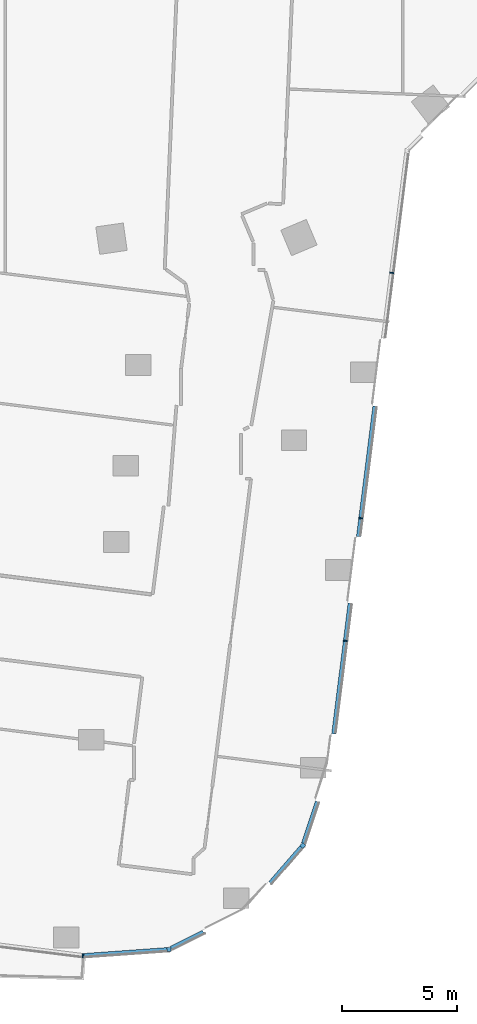
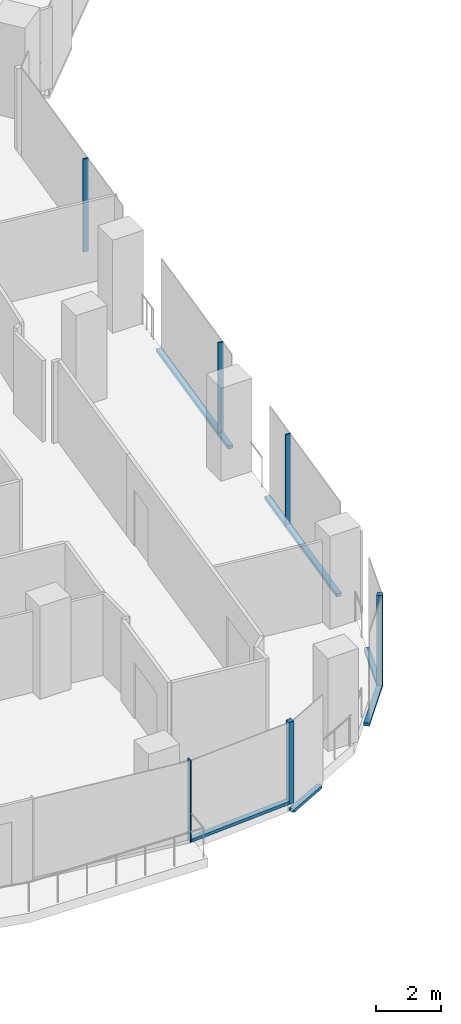
# One storey, part 4 of 29: 12 members, 6 elements without a shape of their own.
"""IFC4 building model written with IfcOpenShell, lengths in metres."""

from ifc_helpers import new_model, si_unit, direction, frame, origin, origin_2d, place, context, subcontext, project, spatial, rectangle, extrude, material, material_profile, profile_set, type_object, element, aggregate, save


model = new_model("IFC4")

# Units and contexts
model_context = context("Model", 3, precision=1e-05, world=origin(), true_north=direction((0.0, 1.0)))
body_context = subcontext(model_context, "Body", "Model", "MODEL_VIEW")
ifc_project = project(units=[si_unit("LENGTHUNIT", "METRE"), si_unit("AREAUNIT", "SQUARE_METRE"), si_unit("VOLUMEUNIT", "CUBIC_METRE"), si_unit("PLANEANGLEUNIT", "RADIAN"), si_unit("MASSUNIT", "GRAM", prefix="KILO")], contexts=[model_context])

# Site, building, storey
site_placement = place(None, origin())
site = spatial("IfcSite", under=ifc_project, at=site_placement, CompositionType="ELEMENT")
building_placement = place(site_placement, origin())
building = spatial("IfcBuilding", under=site, at=building_placement, Name="Orlundy Tower", CompositionType="ELEMENT")
storey_placement = place(building_placement, frame((0.0, 0.0, 188.60009765625)))
storey = spatial("IfcBuildingStorey", under=building, at=storey_placement, Name="L49", CompositionType="ELEMENT", Elevation=188.60009765625)

# Curtain wall, member
ifc_material_1 = material(Name="Aluminium bronze anodised", Category="aluminium")
curtain_wall_type = type_object("IfcCurtainWallType", Name="CW1 wall", PredefinedType="NOTDEFINED", material=ifc_material_1)
curtain_wall_1_placement = place(storey_placement, origin())
curtain_wall_1 = element("IfcCurtainWall", 1, at=curtain_wall_1_placement, inside=storey, type_object=curtain_wall_type, Name="CW1 run 020", PredefinedType="NOTDEFINED")
ifc_material_2 = material(Name="Aluminium bronze anodised", Category="aluminium")
ifc_material_profile_1 = material_profile(ifc_material_2, rectangle(XDim=0.179931640625, YDim=0.179931640625, at=origin_2d()), Name="CW1 corner post 180x180")
ifc_profile_set_1 = profile_set([ifc_material_profile_1], Name="Aluminium bronze anodised")
member_type_1 = type_object("IfcMemberType", Name="CW1 corner post 180x180", PredefinedType="MULLION", material=ifc_profile_set_1)
member_1_placement = place(storey_placement, frame((12.5146484375, -55.66650390625, -0.420166015625), z_axis=(0.0, 0.0, 1.0), x_axis=(0.755626772005, -0.655002428568, 0.0)))
member_1 = element("IfcMember", 2, at=member_1_placement, type_object=member_type_1, Name="CW1 mullion 50", PredefinedType="MULLION", context=body_context, shape_type="SweptSolid", body=[
    extrude(rectangle(XDim=0.179931640625, YDim=0.179931640625, at=origin_2d()), origin(), (0.0, 0.0, 1.0), 3.5),
])

curtain_wall_2_placement = place(storey_placement, origin())
curtain_wall_2 = element("IfcCurtainWall", 3, at=curtain_wall_2_placement, inside=storey, type_object=curtain_wall_type, Name="CW1 run 022", PredefinedType="NOTDEFINED")
member_2_placement = place(storey_placement, frame((6.71630859375, -60.16943359375, 0.0), z_axis=(0.0, 0.0, 1.0), x_axis=(0.071227876188, -0.997460069203, 0.0)))
member_2 = element("IfcMember", 4, at=member_2_placement, type_object=member_type_1, Name="CW1 mullion 52", PredefinedType="MULLION", context=body_context, shape_type="SweptSolid", body=[
    extrude(rectangle(XDim=0.179931640625, YDim=0.179931640625, at=origin_2d()), origin(), (0.0, 0.0, 1.0), 3.079833984375),
])

# Curtain wall, members
curtain_wall_3_placement = place(storey_placement, origin())
curtain_wall_3 = element("IfcCurtainWall", 5, at=curtain_wall_3_placement, inside=storey, type_object=curtain_wall_type, Name="CW1 run 018", PredefinedType="NOTDEFINED")
ifc_material_3 = material(Name="Aluminium bronze anodised", Category="aluminium")
ifc_material_profile_2 = material_profile(ifc_material_3, rectangle(XDim=0.179931640625, YDim=0.050048828125, at=origin_2d()), Name="CW1 mullion 50x180")
ifc_profile_set_2 = profile_set([ifc_material_profile_2], Name="Aluminium bronze anodised")
member_type_2 = type_object("IfcMemberType", Name="CW1 mullion 50x180", PredefinedType="MULLION", material=ifc_profile_set_2)
member_3_placement = place(storey_placement, frame((16.3681640625, -30.85595703125, -0.420166015625), z_axis=(0.0, 0.0, 1.0), x_axis=(0.992189164773, -0.124742379758, 0.0)))
member_3 = element("IfcMember", 6, at=member_3_placement, type_object=member_type_2, Name="CW1 mullion 45", PredefinedType="MULLION", context=body_context, shape_type="SweptSolid", body=[
    extrude(rectangle(XDim=0.179931640625, YDim=0.050048828125, at=origin_2d()), origin(), (0.0, 0.0, 1.0), 3.5),
])
member_4_placement = place(storey_placement, frame((15.03173828125, -41.485595703125, -0.420166015625), z_axis=(0.0, 0.0, 1.0), x_axis=(0.992189164773, -0.124742379758, 0.0)))
member_4 = element("IfcMember", 7, at=member_4_placement, type_object=member_type_2, Name="CW1 mullion 47", PredefinedType="MULLION", context=body_context, shape_type="SweptSolid", body=[
    extrude(rectangle(XDim=0.179931640625, YDim=0.050048828125, at=origin_2d()), origin(), (0.0, 0.0, 1.0), 3.5),
])
member_5_placement = place(storey_placement, frame((14.363525390625, -46.800537109375, -0.420166015625), z_axis=(0.0, 0.0, 1.0), x_axis=(0.992189164773, -0.124742379758, 0.0)))
member_5 = element("IfcMember", 8, at=member_5_placement, type_object=member_type_2, Name="CW1 mullion 48", PredefinedType="MULLION", context=body_context, shape_type="SweptSolid", body=[
    extrude(rectangle(XDim=0.179931640625, YDim=0.050048828125, at=origin_2d()), origin(), (0.0, 0.0, 1.0), 3.5),
])

# Curtain wall, member
curtain_wall_4_placement = place(storey_placement, origin())
curtain_wall_4 = element("IfcCurtainWall", 9, at=curtain_wall_4_placement, inside=storey, type_object=curtain_wall_type, Name="CW1 run 023", PredefinedType="NOTDEFINED")
member_6_placement = place(storey_placement, frame((2.99267578125, -60.435302734375, 0.0), z_axis=(0.0, 0.0, 1.0), x_axis=(-0.026896328745, -0.999638228311, 0.0)))
member_6 = element("IfcMember", 10, at=member_6_placement, type_object=member_type_2, Name="CW1 mullion 53", PredefinedType="MULLION", context=body_context, shape_type="SweptSolid", body=[
    extrude(rectangle(XDim=0.179931640625, YDim=0.050048828125, at=origin_2d()), origin(), (0.0, 0.0, 1.0), 3.079833984375),
])
aggregate(curtain_wall_4, [member_6])

# Member
ifc_material_4 = material(Name="Aluminium bronze anodised", Category="aluminium")
ifc_material_profile_3 = material_profile(ifc_material_4, rectangle(XDim=0.179931640625, YDim=0.1201171875, at=origin_2d()), Name="CW1 transom 180x120")
ifc_profile_set_3 = profile_set([ifc_material_profile_3], Name="Aluminium bronze anodised")
member_type_3 = type_object("IfcMemberType", Name="CW1 transom 180x120", PredefinedType="USERDEFINED", material=ifc_profile_set_3)
member_7_placement = place(storey_placement, frame((15.64208984375, -36.630615234375, -0.360107421875), z_axis=(-0.124731061439, -0.992190587696, 0.0), x_axis=(0.992190587696, -0.124731061439, 0.0)))
member_7 = element("IfcMember", 11, at=member_7_placement, type_object=member_type_3, Name="CW1 transom", ObjectType="TRANSOM", PredefinedType="USERDEFINED", context=body_context, shape_type="SweptSolid", body=[
    extrude(rectangle(XDim=0.179931640625, YDim=0.1201171875, at=origin_2d()), origin(), (0.0, 0.0, 1.0), 5.69580078125),
])

member_8_placement = place(storey_placement, frame((14.56787109375, -45.174072265625, -0.360107421875), z_axis=(-0.124719979624, -0.992191980759, 0.0), x_axis=(0.992191980759, -0.124719979624, 0.0)))
member_8 = element("IfcMember", 12, at=member_8_placement, type_object=member_type_3, Name="CW1 transom", ObjectType="TRANSOM", PredefinedType="USERDEFINED", context=body_context, shape_type="SweptSolid", body=[
    extrude(rectangle(XDim=0.179931640625, YDim=0.1201171875, at=origin_2d()), origin(), (0.0, 0.0, 1.0), 5.7001953125),
])

aggregate(curtain_wall_3, [member_3, member_4, member_5, member_7, member_8])

# Curtain wall, member
curtain_wall_5_placement = place(storey_placement, origin())
curtain_wall_5 = element("IfcCurtainWall", 13, at=curtain_wall_5_placement, inside=storey, type_object=curtain_wall_type, Name="CW1 run 019", PredefinedType="NOTDEFINED")
member_9_placement = place(storey_placement, frame((13.150146484375, -53.75830078125, -0.360107421875), z_axis=(-0.315998125495, -0.948759814012, 0.0), x_axis=(0.948759814012, -0.315998125495, 0.0)))
member_9 = element("IfcMember", 14, at=member_9_placement, type_object=member_type_3, Name="CW1 transom", ObjectType="TRANSOM", PredefinedType="USERDEFINED", context=body_context, shape_type="SweptSolid", body=[
    extrude(rectangle(XDim=0.179931640625, YDim=0.1201171875, at=origin_2d()), origin(), (0.0, 0.0, 1.0), 1.913818359375),
])
aggregate(curtain_wall_5, [member_9])

# Member
member_10_placement = place(storey_placement, frame((12.455810546875, -55.734375, -0.360107421875), z_axis=(-0.655002986214, -0.755626288618, 0.0), x_axis=(0.755626288618, -0.655002986214, 0.0)))
member_10 = element("IfcMember", 15, at=member_10_placement, type_object=member_type_3, Name="CW1 transom", ObjectType="TRANSOM", PredefinedType="USERDEFINED", context=body_context, shape_type="SweptSolid", body=[
    extrude(rectangle(XDim=0.179931640625, YDim=0.1201171875, at=origin_2d()), origin(), (0.0, 0.0, 1.0), 2.052734375),
])

aggregate(curtain_wall_1, [member_1, member_10])

# Curtain wall, member
curtain_wall_6_placement = place(storey_placement, origin())
curtain_wall_6 = element("IfcCurtainWall", 16, at=curtain_wall_6_placement, inside=storey, type_object=curtain_wall_type, Name="CW1 run 021", PredefinedType="NOTDEFINED")
member_11_placement = place(storey_placement, frame((8.21142578125, -59.42138671875, -0.360107421875), z_axis=(-0.894272070114, -0.447523702852, 0.0), x_axis=(0.447523702852, -0.894272070114, 0.0)))
member_11 = element("IfcMember", 17, at=member_11_placement, type_object=member_type_3, Name="CW1 transom", ObjectType="TRANSOM", PredefinedType="USERDEFINED", context=body_context, shape_type="SweptSolid", body=[
    extrude(rectangle(XDim=0.179931640625, YDim=0.1201171875, at=origin_2d()), origin(), (0.0, 0.0, 1.0), 1.574462890625),
])
aggregate(curtain_wall_6, [member_11])

# Member
member_12_placement = place(storey_placement, frame((6.62646484375, -60.176025390625, 0.059814453125), z_axis=(-0.997462808518, -0.071189505005, 0.0), x_axis=(0.071189505005, -0.997462808518, 0.0)))
member_12 = element("IfcMember", 18, at=member_12_placement, type_object=member_type_3, Name="CW1 transom", ObjectType="TRANSOM", PredefinedType="USERDEFINED", context=body_context, shape_type="SweptSolid", body=[
    extrude(rectangle(XDim=0.179931640625, YDim=0.1201171875, at=origin_2d()), origin(), (0.0, 0.0, 1.0), 3.6181640625),
])

aggregate(curtain_wall_2, [member_2, member_12])

save(model, "model.ifc")
